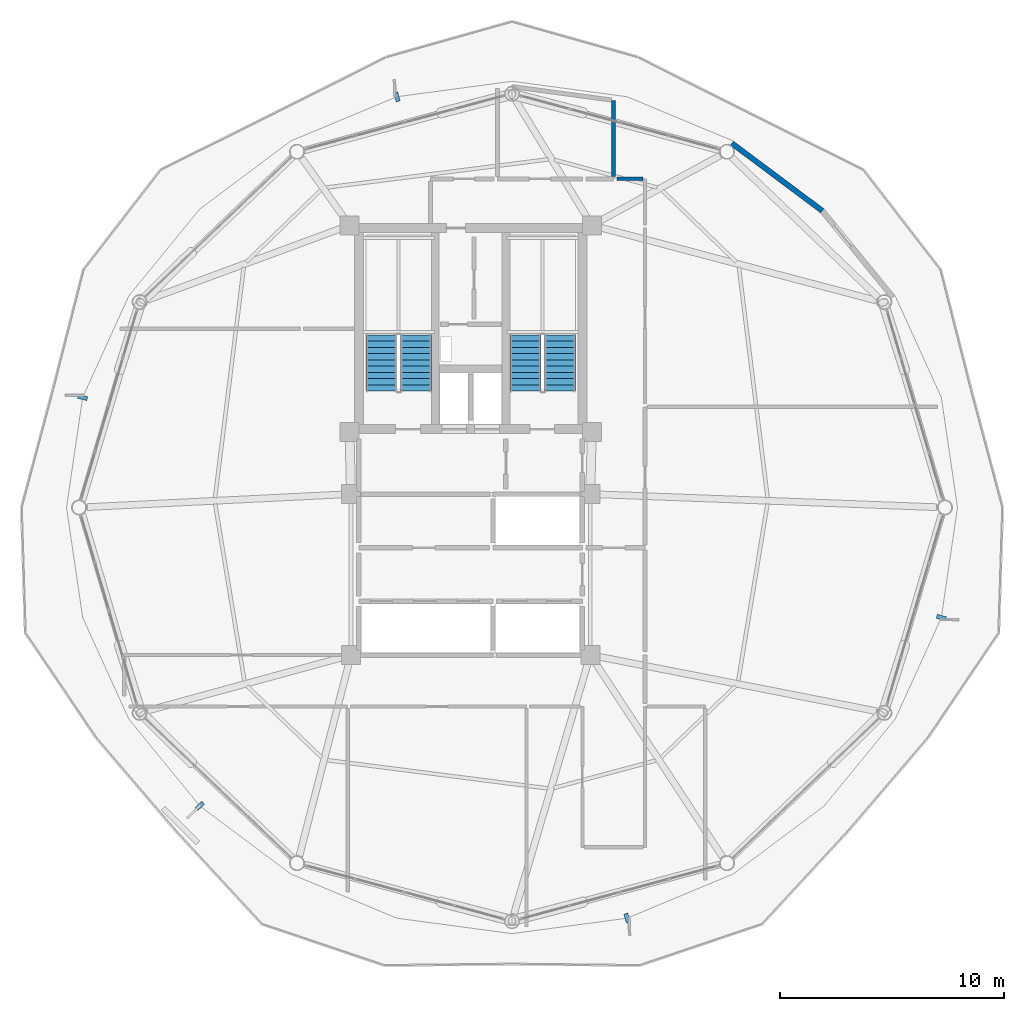
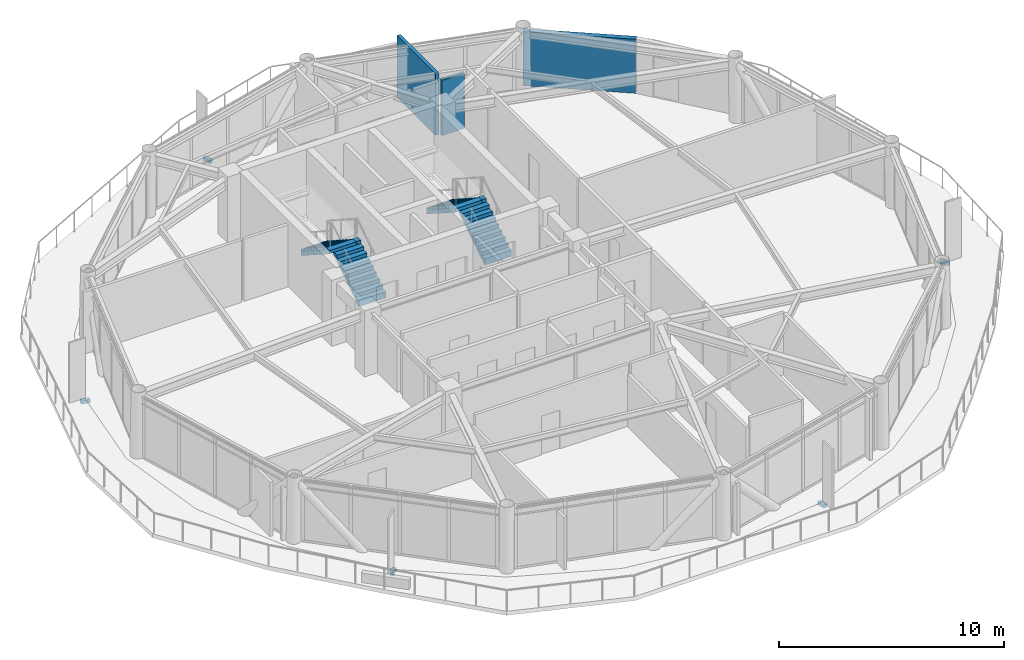
# One storey, part 25 of 28: 5 discrete accessories, 4 stair flights, 3 walls, 2 elements without a shape of their own.
"""IFC4 building model written with IfcOpenShell, lengths in metres."""

from ifc_helpers import new_model, si_unit, direction, frame, frame_2d, origin, origin_2d, place, context, subcontext, project, spatial, polyline, rectangle, outline, extrude, source, transform, mapped, material, layer, layer_set, type_object, type_shapes, element, aggregate, save


model = new_model("IFC4")

# Units and contexts
model_context = context("Model", 3, precision=1e-05, world=origin(), true_north=direction((0.0, 1.0)))
body_context = subcontext(model_context, "Body", "Model", "MODEL_VIEW")
ifc_project = project(units=[si_unit("LENGTHUNIT", "METRE"), si_unit("AREAUNIT", "SQUARE_METRE"), si_unit("VOLUMEUNIT", "CUBIC_METRE"), si_unit("PLANEANGLEUNIT", "RADIAN"), si_unit("MASSUNIT", "GRAM", prefix="KILO")], contexts=[model_context])

# Site, building, storey
site_placement = place(None, origin())
site = spatial("IfcSite", under=ifc_project, at=site_placement, CompositionType="ELEMENT")
building_placement = place(site_placement, origin())
building = spatial("IfcBuilding", under=site, at=building_placement, Name="Varnakorn Sky Granary", CompositionType="ELEMENT")
storey_placement = place(building_placement, frame((0.0, 0.0, 200.39990234375)))
storey = spatial("IfcBuildingStorey", under=building, at=storey_placement, Name="L50", CompositionType="ELEMENT", Elevation=200.39990234375)

# Walls
ifc_material_1 = material(Name="Precast concrete C40/50", Category="concrete")
ifc_layer_1 = layer(ifc_material_1, 0.239990234375, Name="Precast concrete C40/50")
ifc_layer_set_1 = layer_set([ifc_layer_1], Name="Precast concrete C40/50")
wall_type_1 = type_object("IfcWallType", Name="WT-EW-BAL-260", PredefinedType="SOLIDWALL", material=ifc_layer_set_1)
wall_1_placement = place(storey_placement, frame((14.685546875, 16.2880859375, 0.0), z_axis=(0.0, 0.0, 1.0), x_axis=(0.801038015868, -0.598613478911, 0.0)))
element("IfcWall", 1, at=wall_1_placement, inside=storey, type_object=wall_type_1, Name="Balcony Return Facade Wall L50-B02B", PredefinedType="SOLIDWALL", context=body_context, shape_type="SweptSolid", body=[
    extrude(rectangle(XDim=5.046142578125, YDim=0.239990234375, at=frame_2d((2.52294921875, 0.0))), origin(), (0.0, 0.0, 1.0), 2.93017578125),
])
ifc_material_2 = material(Name="Gypsum Plasterboard on Steel Stud", Category="steel")
ifc_layer_2 = layer(ifc_material_2, 0.14990234375, Name="Gypsum Plasterboard on Steel Stud")
ifc_layer_set_2 = layer_set([ifc_layer_2], Name="Gypsum Plasterboard on Steel Stud")
wall_type_2 = type_object("IfcWallType", Name="WT-PART-150", PredefinedType="PARTITIONING", material=ifc_layer_set_2)
wall_2_placement = place(storey_placement, frame((10.715087890625, 14.699951171875, 0.0), z_axis=(0.0, 0.0, 1.0), x_axis=(-1.0, 0.0, 0.0)))
element("IfcWall", 2, at=wall_2_placement, inside=storey, type_object=wall_type_2, Name="Interior Partition Wall L50-049", PredefinedType="PARTITIONING", context=body_context, shape_type="SweptSolid", body=[
    extrude(rectangle(XDim=1.1650390625, YDim=0.14990234375, at=frame_2d((0.58251953125, 0.0))), origin(), (0.0, 0.0, 1.0), 3.01220703125),
])
ifc_material_3 = material(Name="Moisture-Resistant Gypsum on Stud", Category="gypsum")
ifc_layer_3 = layer(ifc_material_3, 0.179931640625, Name="Moisture-Resistant Gypsum on Stud")
ifc_layer_set_3 = layer_set([ifc_layer_3], Name="Moisture-Resistant Gypsum on Stud")
wall_type_3 = type_object("IfcWallType", Name="WT-PLUMB-180", PredefinedType="PLUMBINGWALL", material=ifc_layer_set_3)
wall_3_placement = place(storey_placement, frame((9.39990234375, 14.800048828125, 0.0), z_axis=(0.0, 0.0, 1.0), x_axis=(0.0, 1.0, 0.0)))
element("IfcWall", 3, at=wall_3_placement, inside=storey, type_object=wall_type_3, Name="Interior Partition Wall L50-050", PredefinedType="PLUMBINGWALL", context=body_context, shape_type="SweptSolid", body=[
    extrude(rectangle(XDim=3.409912109375, YDim=0.179931640625, at=frame_2d((1.705078125, 0.0))), origin(), (0.0, 0.0, 1.0), 3.360107421875),
])

# Stair, stair flights
ifc_material_4 = material(Name="Concrete C40/50", Category="concrete")
stair_type = type_object("IfcStairType", Name="ST-MAIN-ASSEMBLY", PredefinedType="HALF_TURN_STAIR", material=ifc_material_4)
stair_1_placement = place(storey_placement, origin())
stair_1 = element("IfcStair", 4, at=stair_1_placement, inside=storey, type_object=stair_type, Name="L50 Protected Exit Stair ST-1", PredefinedType="HALF_TURN_STAIR")
stair_flight_type = type_object("IfcStairFlightType", Name="ST-MAIN-FLIGHT", PredefinedType="STRAIGHT", material=ifc_material_4)
stair_flight_1_placement = place(storey_placement, frame((0.550048828125, 5.199951171875, 0.0), z_axis=(0.0, 0.0, 1.0), x_axis=(0.0, 1.0, 0.0)))
stair_flight_1 = element("IfcStairFlight", 5, at=stair_flight_1_placement, type_object=stair_flight_type, Name="ST-1 flight 1", NumberOfRisers=10, NumberOfTreads=9, PredefinedType="STRAIGHT", RiserHeight=0.18, TreadLength=0.28, context=body_context, shape_type="SweptSolid", body=[
    extrude(outline(polyline([(0.0, -0.14990234375), (0.0, 0.0), (0.0, 0.179931640625), (0.280029296875, 0.179931640625), (0.280029296875, 0.360107421875), (0.56005859375, 0.360107421875), (0.56005859375, 0.5400390625), (0.840087890625, 0.5400390625), (0.840087890625, 0.719970703125), (1.1201171875, 0.719970703125), (1.1201171875, 0.89990234375), (1.39990234375, 0.89990234375), (1.39990234375, 1.080078125), (1.679931640625, 1.080078125), (1.679931640625, 1.260009765625), (1.9599609375, 1.260009765625), (1.9599609375, 1.43994140625), (2.239990234375, 1.43994140625), (2.239990234375, 1.6201171875), (2.52001953125, 1.6201171875), (2.52001953125, 1.800048828125), (2.52001953125, 1.44189453125), (0.050048828125, -0.14990234375), (0.0, -0.14990234375)])), frame((0.0, 0.68994140625, 0.0), z_axis=(0.0, -1.0, 0.0), x_axis=(1.0, 0.0, 0.0)), (0.0, 0.0, 1.0), 1.3798828125),
])
stair_flight_2_placement = place(storey_placement, frame((-0.97998046875, 7.719970703125, 1.800048828125), z_axis=(0.0, 0.0, 1.0), x_axis=(0.0, -1.0, 0.0)))
stair_flight_2 = element("IfcStairFlight", 6, at=stair_flight_2_placement, type_object=stair_flight_type, Name="ST-1 flight 2", NumberOfRisers=10, NumberOfTreads=9, PredefinedType="STRAIGHT", RiserHeight=0.18, TreadLength=0.28, context=body_context, shape_type="SweptSolid", body=[
    extrude(outline(polyline([(0.0, -0.14990234375), (0.0, 0.0), (0.0, 0.179931640625), (0.280029296875, 0.179931640625), (0.280029296875, 0.360107421875), (0.56005859375, 0.360107421875), (0.56005859375, 0.5400390625), (0.840087890625, 0.5400390625), (0.840087890625, 0.719970703125), (1.1201171875, 0.719970703125), (1.1201171875, 0.89990234375), (1.39990234375, 0.89990234375), (1.39990234375, 1.080078125), (1.679931640625, 1.080078125), (1.679931640625, 1.260009765625), (1.9599609375, 1.260009765625), (1.9599609375, 1.43994140625), (2.239990234375, 1.43994140625), (2.239990234375, 1.6201171875), (2.52001953125, 1.6201171875), (2.52001953125, 1.800048828125), (2.52001953125, 1.44189453125), (0.050048828125, -0.14990234375), (0.0, -0.14990234375)])), frame((0.0, 0.68994140625, 0.0), z_axis=(0.0, -1.0, 0.0), x_axis=(1.0, 0.0, 0.0)), (0.0, 0.0, 1.0), 1.3798828125),
])
aggregate(stair_1, [stair_flight_1, stair_flight_2])

stair_2_placement = place(storey_placement, origin())
stair_2 = element("IfcStair", 7, at=stair_2_placement, inside=storey, type_object=stair_type, Name="L50 Protected Exit Stair ST-2", PredefinedType="HALF_TURN_STAIR")
stair_flight_3_placement = place(storey_placement, frame((6.989990234375, 5.199951171875, 0.0), z_axis=(0.0, 0.0, 1.0), x_axis=(0.0, 1.0, 0.0)))
stair_flight_3 = element("IfcStairFlight", 8, at=stair_flight_3_placement, type_object=stair_flight_type, Name="ST-2 flight 1", NumberOfRisers=10, NumberOfTreads=9, PredefinedType="STRAIGHT", RiserHeight=0.18, TreadLength=0.28, context=body_context, shape_type="SweptSolid", body=[
    extrude(outline(polyline([(0.0, -0.14990234375), (0.0, 0.0), (0.0, 0.179931640625), (0.280029296875, 0.179931640625), (0.280029296875, 0.360107421875), (0.56005859375, 0.360107421875), (0.56005859375, 0.5400390625), (0.840087890625, 0.5400390625), (0.840087890625, 0.719970703125), (1.1201171875, 0.719970703125), (1.1201171875, 0.89990234375), (1.39990234375, 0.89990234375), (1.39990234375, 1.080078125), (1.679931640625, 1.080078125), (1.679931640625, 1.260009765625), (1.9599609375, 1.260009765625), (1.9599609375, 1.43994140625), (2.239990234375, 1.43994140625), (2.239990234375, 1.6201171875), (2.52001953125, 1.6201171875), (2.52001953125, 1.800048828125), (2.52001953125, 1.44189453125), (0.050048828125, -0.14990234375), (0.0, -0.14990234375)])), frame((0.0, 0.68994140625, 0.0), z_axis=(0.0, -1.0, 0.0), x_axis=(1.0, 0.0, 0.0)), (0.0, 0.0, 1.0), 1.3798828125),
])
stair_flight_4_placement = place(storey_placement, frame((5.4599609375, 7.719970703125, 1.800048828125), z_axis=(0.0, 0.0, 1.0), x_axis=(0.0, -1.0, 0.0)))
stair_flight_4 = element("IfcStairFlight", 9, at=stair_flight_4_placement, type_object=stair_flight_type, Name="ST-2 flight 2", NumberOfRisers=10, NumberOfTreads=9, PredefinedType="STRAIGHT", RiserHeight=0.18, TreadLength=0.28, context=body_context, shape_type="SweptSolid", body=[
    extrude(outline(polyline([(0.0, -0.14990234375), (0.0, 0.0), (0.0, 0.179931640625), (0.280029296875, 0.179931640625), (0.280029296875, 0.360107421875), (0.56005859375, 0.360107421875), (0.56005859375, 0.5400390625), (0.840087890625, 0.5400390625), (0.840087890625, 0.719970703125), (1.1201171875, 0.719970703125), (1.1201171875, 0.89990234375), (1.39990234375, 0.89990234375), (1.39990234375, 1.080078125), (1.679931640625, 1.080078125), (1.679931640625, 1.260009765625), (1.9599609375, 1.260009765625), (1.9599609375, 1.43994140625), (2.239990234375, 1.43994140625), (2.239990234375, 1.6201171875), (2.52001953125, 1.6201171875), (2.52001953125, 1.800048828125), (2.52001953125, 1.44189453125), (0.050048828125, -0.14990234375), (0.0, -0.14990234375)])), frame((0.0, 0.68994140625, 0.0), z_axis=(0.0, -1.0, 0.0), x_axis=(1.0, 0.0, 0.0)), (0.0, 0.0, 1.0), 1.3798828125),
])
aggregate(stair_2, [stair_flight_3, stair_flight_4])

# Discrete accessories
ifc_material_5 = material(Name="Steel S355JR", Category="steel")
discrete_accessory_type = type_object("IfcDiscreteAccessoryType", Name="AC-BRK-01", PredefinedType="BRACKET", material=ifc_material_5)
shared_shape = source(origin(), body_context, "Body", "SweptSolid", [
    extrude(rectangle(XDim=0.179931640625, YDim=0.419921875, at=origin_2d()), origin(), (0.0, 0.0, 1.0), 0.179931640625),
])
type_shapes(discrete_accessory_type, [shared_shape])
for number, where, z_axis, x_axis, name in (
    (10, (-0.296875, 18.36962890625, -0.19970703125), (0.0, 0.0, 1.0), (-0.962918095353, -0.269793887333, 0.0), "Facade Solar-Screen Outrigger Bracket L50-04"),
    (11, (-14.35400390625, 4.9208984375, -0.19970703125), (0.0, 0.0, 1.0), (-0.248228582441, -0.968701486971, 0.0), "Facade Solar-Screen Outrigger Bracket L50-06"),
    (12, (-9.114501953125, -13.350341796875, -0.19970703125), (0.0, 0.0, 1.0), (0.691034355044, -0.722821914547, 0.0), "Facade Solar-Screen Outrigger Bracket L50-08"),
    (13, (9.996826171875, -18.36962890625, -0.19970703125), (0.0, 0.0, 1.0), (0.962918095353, 0.269793887333, 0.0), "Facade Solar-Screen Outrigger Bracket L50-10"),
    (14, (24.053955078125, -4.9208984375, -0.19970703125), (0.0, 0.0, 1.0), (0.248228582441, 0.968701486971, 0.0), "Facade Solar-Screen Outrigger Bracket L50-12"),
):
    element("IfcDiscreteAccessory", number, at=place(storey_placement, frame(where, z_axis=z_axis, x_axis=x_axis)), inside=storey, type_object=discrete_accessory_type, Name=name, PredefinedType="BRACKET", context=body_context, shape_type="MappedRepresentation", body=[
        mapped(shared_shape, transform((0.0, 0.0, 0.0), x_axis=(1.0, 0.0, 0.0), y_axis=(0.0, 1.0, 0.0), z_axis=(0.0, 0.0, 1.0), scale=1.0)),
    ])

save(model, "model.ifc")
